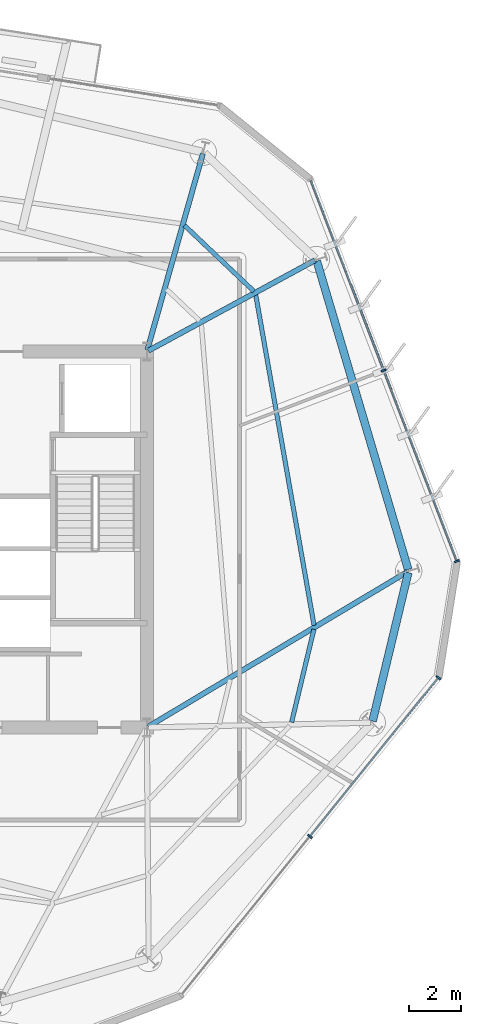
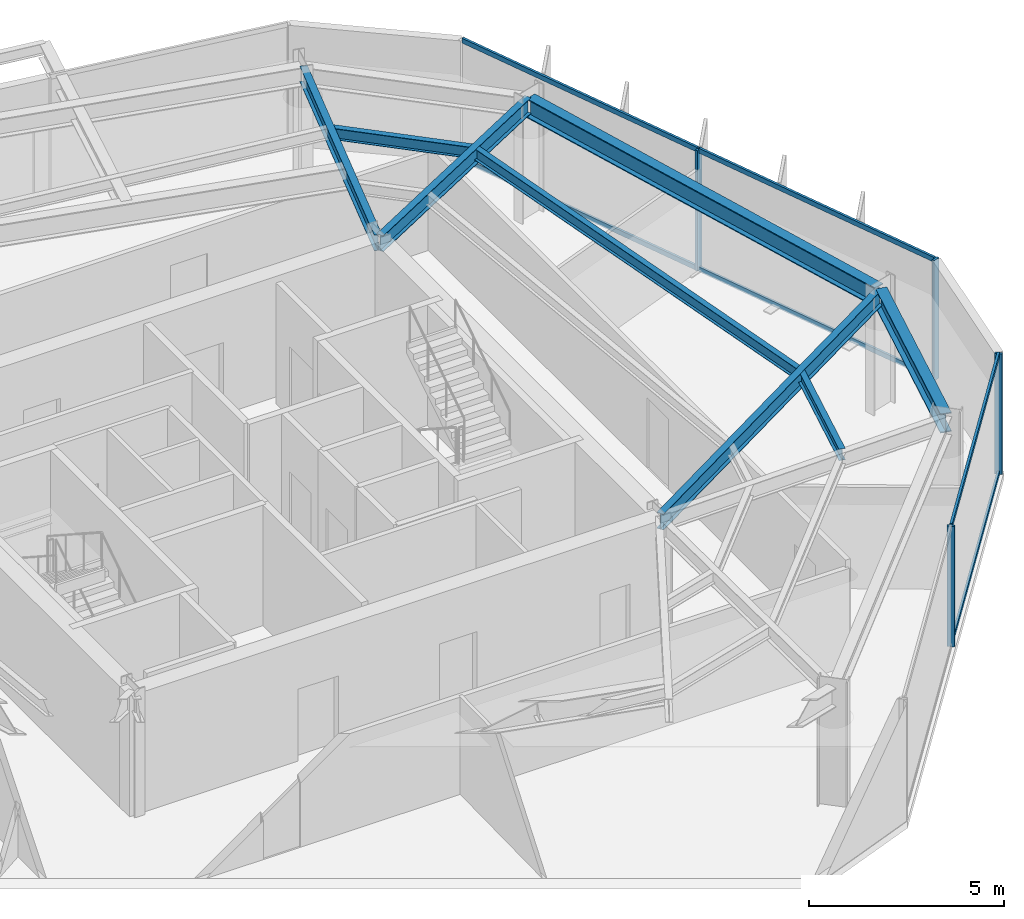
# One storey, part 4 of 11: 10 members, 8 beams, 2 elements without a shape of their own.
"""IFC4 building model written with IfcOpenShell, lengths in metres."""

import ifcopenshell
import ifcopenshell.guid

model = None  # the IFC model being written
_history = None  # IfcOwnerHistory: only IFC2X3 demands one
_inside = {}  # id of a spatial element -> (the spatial element, [elements in it])
_under = {}  # id of a project, library or spatial element -> (it, [spatial elements below it])
_declared = {}  # id of a project -> (the project, [libraries it declares])
_typed = {}  # id of a type object -> (the type object, [elements of that type])
_made_of = {}  # id of a material, layer set ... -> (it, [elements and type objects made of it])


def new_model(schema):
    """Start an empty IFC model of exactly this schema.

    Asked for "IFC4X3", IfcOpenShell would pick the latest addendum, in which some entities
    have other attributes; the version numbers below select the first issue.
    IFC2X3 requires an IfcOwnerHistory on every rooted entity: one is made here for all.
    """
    global model, _history
    if schema == "IFC4X3":
        model = ifcopenshell.file(schema_version=(4, 3, 0, 0))
    else:
        model = ifcopenshell.file(schema=schema)
    _inside.clear()
    _under.clear()
    _declared.clear()
    _typed.clear()
    _made_of.clear()
    _history = None
    if model.schema == "IFC2X3":
        org = make("IfcOrganization", Name="unknown")
        user = make(
            "IfcPersonAndOrganization",
            ThePerson=make("IfcPerson", FamilyName="unknown"),
            TheOrganization=org,
        )
        app = make(
            "IfcApplication",
            ApplicationDeveloper=org,
            Version="unknown",
            ApplicationFullName="unknown",
            ApplicationIdentifier="unknown",
        )
        _history = make(
            "IfcOwnerHistory",
            OwningUser=user,
            OwningApplication=app,
            ChangeAction="ADDED",
            CreationDate=0,
        )
    return model


def make(cls, **values):
    """One entity of the class cls with the attributes given. An attribute that is None is left unset."""
    return model.create_entity(
        cls, **{name: value for name, value in values.items() if value is not None}
    )


def rooted(cls, **values):
    """An entity with a GlobalId (a new one), such as an element, a storey or a relation."""
    return make(cls, GlobalId=ifcopenshell.guid.new(), OwnerHistory=_history, **values)


def si_unit(unit_type, name, prefix=None):
    """IfcSIUnit, for example si_unit("LENGTHUNIT", "METRE", prefix="MILLI")."""
    return make("IfcSIUnit", UnitType=unit_type, Prefix=prefix, Name=name)


def assignment(units):
    """IfcUnitAssignment: the units of a project."""
    return None if units is None else make("IfcUnitAssignment", Units=units)


def point(xyz):
    """IfcCartesianPoint."""
    return None if xyz is None else make("IfcCartesianPoint", Coordinates=xyz)


def direction(xyz):
    """IfcDirection."""
    return None if xyz is None else make("IfcDirection", DirectionRatios=xyz)


def frame(location, z_axis=None, x_axis=None):
    """IfcAxis2Placement3D, a coordinate frame: its origin and axes. An axis left out is left unset."""
    return make(
        "IfcAxis2Placement3D",
        Location=point(location),
        Axis=direction(z_axis),
        RefDirection=direction(x_axis),
    )


def frame_2d(location, x_axis=None):
    """IfcAxis2Placement2D, a coordinate frame in the plane: its origin and x axis."""
    return make(
        "IfcAxis2Placement2D", Location=point(location), RefDirection=direction(x_axis)
    )


def origin():
    """The frame at (0, 0, 0) with its axes left unset."""
    return frame((0.0, 0.0, 0.0))


def origin_2d():
    """The frame at (0, 0) in the plane with its x axis left unset."""
    return frame_2d((0.0, 0.0))


def place(relative_to, where):
    """IfcLocalPlacement: puts the frame where relative to a parent placement (None: the world)."""
    return make(
        "IfcLocalPlacement", PlacementRelTo=relative_to, RelativePlacement=where
    )


def context(
    kind, dimensions, precision=None, world=None, true_north=None, identifier=None
):
    """IfcGeometricRepresentationContext, for example the 3D "Model" context."""
    return make(
        "IfcGeometricRepresentationContext",
        ContextIdentifier=identifier,
        ContextType=kind,
        CoordinateSpaceDimension=dimensions,
        Precision=precision,
        WorldCoordinateSystem=world,
        TrueNorth=true_north,
    )


def subcontext(parent, identifier, kind, view, scale=None):
    """IfcGeometricRepresentationSubContext, for example "Body" below "Model"."""
    return make(
        "IfcGeometricRepresentationSubContext",
        ContextIdentifier=identifier,
        ContextType=kind,
        ParentContext=parent,
        TargetScale=scale,
        TargetView=view,
    )


def project(units=None, contexts=None):
    """IfcProject with its units and contexts."""
    return rooted(
        "IfcProject",
        Name="project",
        RepresentationContexts=contexts,
        UnitsInContext=assignment(units),
    )


def spatial(cls, under=None, at=None, **own):
    """A site, building, storey or space (cls), placed at a placement, below another one or the project."""
    s = rooted(cls, ObjectPlacement=at, **own)
    if under is not None:
        _under.setdefault(under.id(), (under, []))[1].append(s)
    return s


def profile(cls, at=None, kind="AREA", **sizes):
    """A parametric profile (cls). Its sizes go by their IFC names, for example OverallWidth=200.0."""
    return make(cls, ProfileType=kind, Position=at, **sizes)


def rectangle(**sizes):
    """IfcRectangleProfileDef."""
    return profile("IfcRectangleProfileDef", **sizes)


def i_section(**sizes):
    """IfcIShapeProfileDef."""
    return profile("IfcIShapeProfileDef", **sizes)


def extrude(swept, where, along, depth):
    """IfcExtrudedAreaSolid: the profile swept, set in the frame where, extruded along a direction by depth."""
    return make(
        "IfcExtrudedAreaSolid",
        SweptArea=swept,
        Position=where,
        ExtrudedDirection=direction(along),
        Depth=depth,
    )


def shape(context_of_items, identifier, shape_type, items):
    """IfcShapeRepresentation: the items that make up one representation, for example the "Body"."""
    return make(
        "IfcShapeRepresentation",
        ContextOfItems=context_of_items,
        RepresentationIdentifier=identifier,
        RepresentationType=shape_type,
        Items=items,
    )


def material(Name=None, Category=None):
    """IfcMaterial."""
    return make("IfcMaterial", Name=Name, Category=Category)


def layer(
    of_material, thickness, ventilated=None, Name=None, Category=None, Priority=None
):
    """IfcMaterialLayer: one layer of a wall or slab, of a material (None: an air gap)."""
    return make(
        "IfcMaterialLayer",
        Material=of_material,
        LayerThickness=thickness,
        IsVentilated=ventilated,
        Name=Name,
        Category=Category,
        Priority=Priority,
    )


def layer_set(layers, Name=None):
    """IfcMaterialLayerSet."""
    return make("IfcMaterialLayerSet", MaterialLayers=layers, LayerSetName=Name)


def material_profile(
    of_material, cross_section, Name=None, Category=None, Priority=None
):
    """IfcMaterialProfile: a cross section and its material."""
    return make(
        "IfcMaterialProfile",
        Name=Name,
        Material=of_material,
        Profile=cross_section,
        Priority=Priority,
        Category=Category,
    )


def profile_set(profiles, Name=None, composite=None):
    """IfcMaterialProfileSet."""
    return make(
        "IfcMaterialProfileSet",
        Name=Name,
        MaterialProfiles=profiles,
        CompositeProfile=composite,
    )


def made_of(thing, what):
    """Note that an element or type object is made of a material, layer set ...; save() writes the relation."""
    if what is not None:
        _made_of.setdefault(what.id(), (what, []))[1].append(thing)
    return thing


def type_object(cls, material=None, **own):
    """A type object (cls), such as IfcWallType, which elements share."""
    return made_of(rooted(cls, **own), material)


def element(
    cls,
    number,
    at=None,
    inside=None,
    cuts=None,
    type_object=None,
    material=None,
    context=None,
    identifier="Body",
    shape_type=None,
    held_by="IfcProductDefinitionShape",
    body=None,
    shapes=None,
    **own,
):
    """One element of the class cls, such as IfcWall. Its Tag is "e" and its number.

    at: its placement. inside: the storey or other place that contains it. cuts: it is an
    opening in that element (IfcRelVoidsElement). A single representation is given by context,
    identifier, shape_type and body (its items); several are given by shapes. held_by: the class
    of the entity that holds the representations. save() writes the other relations.
    """
    e = rooted(cls, Tag="e%d" % number, ObjectPlacement=at, **own)
    if body is not None:
        shapes = [shape(context, identifier, shape_type, body)]
    if shapes is not None:
        e.Representation = make(held_by, Representations=shapes)
    if inside is not None:
        _inside.setdefault(inside.id(), (inside, []))[1].append(e)
    if cuts is not None:
        rooted(
            "IfcRelVoidsElement", RelatingBuildingElement=cuts, RelatedOpeningElement=e
        )
    if type_object is not None:
        _typed.setdefault(type_object.id(), (type_object, []))[1].append(e)
    return made_of(e, material)


def aggregate(whole, parts):
    """IfcRelAggregates: a whole, such as a stair, and the parts it consists of."""
    return rooted("IfcRelAggregates", RelatingObject=whole, RelatedObjects=parts)


def save(model, path):
    """Write the relations noted so far, then the file.

    IfcRelAggregates (storeys below a building ...), IfcRelContainedInSpatialStructure (elements
    in a storey), IfcRelDefinesByType, IfcRelAssociatesMaterial and IfcRelDeclares: one each for
    every whole, place, type object, material and project.
    """
    for whole, parts in _under.values():
        aggregate(whole, parts)
    for where, things in _inside.values():
        rooted(
            "IfcRelContainedInSpatialStructure",
            RelatedElements=things,
            RelatingStructure=where,
        )
    for kind, things in _typed.values():
        rooted("IfcRelDefinesByType", RelatedObjects=things, RelatingType=kind)
    for what, things in _made_of.values():
        rooted("IfcRelAssociatesMaterial", RelatedObjects=things, RelatingMaterial=what)
    for by, libraries in _declared.values():
        rooted("IfcRelDeclares", RelatingContext=by, RelatedDefinitions=libraries)
    model.write(path)


model = new_model("IFC4")

# Units and contexts
model_context = context("Model", 3, precision=1e-05, world=origin(), true_north=direction((0.0, 1.0)))
body_context = subcontext(model_context, "Body", "Model", "MODEL_VIEW")
ifc_project = project(units=[si_unit("LENGTHUNIT", "METRE"), si_unit("AREAUNIT", "SQUARE_METRE"), si_unit("VOLUMEUNIT", "CUBIC_METRE"), si_unit("PLANEANGLEUNIT", "RADIAN"), si_unit("MASSUNIT", "GRAM", prefix="KILO")], contexts=[model_context])

# Site, building, storey
site_placement = place(None, origin())
site = spatial("IfcSite", under=ifc_project, at=site_placement, CompositionType="ELEMENT")
building_placement = place(site_placement, origin())
building = spatial("IfcBuilding", under=site, at=building_placement, Name="Kranzbogen Civic Tower", CompositionType="ELEMENT")
storey_placement = place(building_placement, frame((0.0, 0.0, 228.800048828125)))
storey = spatial("IfcBuildingStorey", under=building, at=storey_placement, Name="L55", CompositionType="ELEMENT", Elevation=228.800048828125)

# Curtain wall, members
ifc_material_1 = material(Name="Pale Anodised Aluminium", Category="aluminium")
ifc_layer = layer(ifc_material_1, 0.219970703125, Name="Pale Anodised Aluminium")
ifc_layer_set = layer_set([ifc_layer], Name="Pale Anodised Aluminium")
curtain_wall_type = type_object("IfcCurtainWallType", Name="Zone 3 Stick Curtain Wall System CW-04", PredefinedType="USERDEFINED", material=ifc_layer_set)
curtain_wall_1_placement = place(storey_placement, origin())
curtain_wall_1 = element("IfcCurtainWall", 1, at=curtain_wall_1_placement, inside=storey, type_object=curtain_wall_type, Name="L55 curtain wall CW-L55-F5", ObjectType="STICK CURTAIN WALL", PredefinedType="USERDEFINED")
ifc_material_profile_1 = material_profile(ifc_material_1, rectangle(XDim=0.070068359375, YDim=0.199951171875, at=origin_2d()), Name="ALU-M 70x200")
ifc_profile_set_1 = profile_set([ifc_material_profile_1], Name="Pale Anodised Aluminium")
member_type_1 = type_object("IfcMemberType", Name="Curtain Wall Mullion ALU-M 70x200", PredefinedType="MULLION", material=ifc_profile_set_1)
member_1_placement = place(storey_placement, frame((39.0439453125, 13.62646484375, 0.0), z_axis=(0.0, 0.0, 1.0), x_axis=(0.629357543601, 0.777115874444, 0.0)))
member_1 = element("IfcMember", 2, at=member_1_placement, type_object=member_type_1, Name="CW-04 mullion 2", PredefinedType="MULLION", context=body_context, shape_type="SweptSolid", body=[
    extrude(rectangle(XDim=0.070068359375, YDim=0.199951171875, at=origin_2d()), origin(), (0.0, 0.0, 1.0), 3.780029296875),
])
member_2_placement = place(storey_placement, frame((43.968017578125, 19.706787109375, 0.0), z_axis=(0.0, 0.0, 1.0), x_axis=(0.629357543601, 0.777115874444, 0.0)))
member_2 = element("IfcMember", 3, at=member_2_placement, type_object=member_type_1, Name="CW-04 mullion 3", PredefinedType="MULLION", context=body_context, shape_type="SweptSolid", body=[
    extrude(rectangle(XDim=0.070068359375, YDim=0.199951171875, at=origin_2d()), origin(), (0.0, 0.0, 1.0), 3.780029296875),
])

curtain_wall_2_placement = place(storey_placement, origin())
curtain_wall_2 = element("IfcCurtainWall", 4, at=curtain_wall_2_placement, inside=storey, type_object=curtain_wall_type, Name="L55 curtain wall CW-L55-F6", ObjectType="STICK CURTAIN WALL", PredefinedType="USERDEFINED")
member_3_placement = place(storey_placement, frame((44.67529296875, 24.172119140625, 0.0), z_axis=(0.0, 0.0, 1.0), x_axis=(-0.3583476378, 0.933588223192, 0.0)))
member_3 = element("IfcMember", 5, at=member_3_placement, type_object=member_type_1, Name="CW-04 mullion 1", PredefinedType="MULLION", context=body_context, shape_type="SweptSolid", body=[
    extrude(rectangle(XDim=0.070068359375, YDim=0.199951171875, at=origin_2d()), origin(), (0.0, 0.0, 1.0), 3.780029296875),
])
member_4_placement = place(storey_placement, frame((41.87158203125, 31.4765625, 0.0), z_axis=(0.0, 0.0, 1.0), x_axis=(-0.3583476378, 0.933588223192, 0.0)))
member_4 = element("IfcMember", 6, at=member_4_placement, type_object=member_type_1, Name="CW-04 mullion 2", PredefinedType="MULLION", context=body_context, shape_type="SweptSolid", body=[
    extrude(rectangle(XDim=0.070068359375, YDim=0.199951171875, at=origin_2d()), origin(), (0.0, 0.0, 1.0), 3.780029296875),
])

# Member
ifc_material_profile_2 = material_profile(ifc_material_1, rectangle(XDim=0.070068359375, YDim=0.14990234375, at=origin_2d()), Name="ALU-T 70x150")
ifc_profile_set_2 = profile_set([ifc_material_profile_2], Name="Pale Anodised Aluminium")
member_type_2 = type_object("IfcMemberType", Name="Curtain Wall Transom ALU-T 70x150", PredefinedType="USERDEFINED", material=ifc_profile_set_2)
member_5_placement = place(storey_placement, frame((39.06298828125, 13.64990234375, 0.030029296875), z_axis=(0.629354712234, 0.777118167455, 0.0), x_axis=(-0.777118167455, 0.629354712234, 0.0)))
member_5 = element("IfcMember", 7, at=member_5_placement, type_object=member_type_2, Name="CW-04 transom 2.1", ObjectType="TRANSOM", PredefinedType="USERDEFINED", context=body_context, shape_type="SweptSolid", body=[
    extrude(rectangle(XDim=0.070068359375, YDim=0.14990234375, at=origin_2d()), origin(), (0.0, 0.0, 1.0), 7.763916015625),
])

member_6_placement = place(storey_placement, frame((39.06298828125, 13.64990234375, 3.75), z_axis=(0.629354712234, 0.777118167455, 0.0), x_axis=(-0.777118167455, 0.629354712234, 0.0)))
member_6 = element("IfcMember", 8, at=member_6_placement, type_object=member_type_2, Name="CW-04 transom 2.2", ObjectType="TRANSOM", PredefinedType="USERDEFINED", context=body_context, shape_type="SweptSolid", body=[
    extrude(rectangle(XDim=0.070068359375, YDim=0.14990234375, at=origin_2d()), origin(), (0.0, 0.0, 1.0), 7.763916015625),
])

aggregate(curtain_wall_1, [member_1, member_2, member_5, member_6])

member_7_placement = place(storey_placement, frame((44.66455078125, 24.199951171875, 0.030029296875), z_axis=(-0.358342647963, 0.933590138471, 0.0), x_axis=(-0.933590138471, -0.358342647963, 0.0)))
member_7 = element("IfcMember", 9, at=member_7_placement, type_object=member_type_2, Name="CW-04 transom 1.1", ObjectType="TRANSOM", PredefinedType="USERDEFINED", context=body_context, shape_type="SweptSolid", body=[
    extrude(rectangle(XDim=0.070068359375, YDim=0.14990234375, at=origin_2d()), origin(), (0.0, 0.0, 1.0), 7.76416015625),
])

member_8_placement = place(storey_placement, frame((44.66455078125, 24.199951171875, 3.75), z_axis=(-0.358342647963, 0.933590138471, 0.0), x_axis=(-0.933590138471, -0.358342647963, 0.0)))
member_8 = element("IfcMember", 10, at=member_8_placement, type_object=member_type_2, Name="CW-04 transom 1.2", ObjectType="TRANSOM", PredefinedType="USERDEFINED", context=body_context, shape_type="SweptSolid", body=[
    extrude(rectangle(XDim=0.070068359375, YDim=0.14990234375, at=origin_2d()), origin(), (0.0, 0.0, 1.0), 7.76416015625),
])

member_9_placement = place(storey_placement, frame((41.86083984375, 31.50439453125, 0.030029296875), z_axis=(-0.358342647963, 0.933590138471, 0.0), x_axis=(-0.933590138471, -0.358342647963, 0.0)))
member_9 = element("IfcMember", 11, at=member_9_placement, type_object=member_type_2, Name="CW-04 transom 2.1", ObjectType="TRANSOM", PredefinedType="USERDEFINED", context=body_context, shape_type="SweptSolid", body=[
    extrude(rectangle(XDim=0.070068359375, YDim=0.14990234375, at=origin_2d()), origin(), (0.0, 0.0, 1.0), 7.76416015625),
])

member_10_placement = place(storey_placement, frame((41.86083984375, 31.50439453125, 3.75), z_axis=(-0.358342647963, 0.933590138471, 0.0), x_axis=(-0.933590138471, -0.358342647963, 0.0)))
member_10 = element("IfcMember", 12, at=member_10_placement, type_object=member_type_2, Name="CW-04 transom 2.2", ObjectType="TRANSOM", PredefinedType="USERDEFINED", context=body_context, shape_type="SweptSolid", body=[
    extrude(rectangle(XDim=0.070068359375, YDim=0.14990234375, at=origin_2d()), origin(), (0.0, 0.0, 1.0), 7.76416015625),
])

aggregate(curtain_wall_2, [member_3, member_4, member_7, member_8, member_9, member_10])

# Beams
ifc_material_2 = material(Name="Steel S355", Category="steel")
ifc_material_profile_3 = material_profile(ifc_material_2, i_section(OverallWidth=0.300048828125, OverallDepth=0.60009765625, WebThickness=0.015380859375, FlangeThickness=0.030029296875, at=origin_2d()), Name="HEB 600")
ifc_profile_set_3 = profile_set([ifc_material_profile_3], Name="Steel S355")
beam_type_1 = type_object("IfcBeamType", Name="Perimeter Tube Spandrel Beam HEB 600", PredefinedType="SPANDREL", material=ifc_profile_set_3)
beam_1_placement = place(storey_placement, frame((41.447021484375, 18.0419921875, 3.47998046875), z_axis=(0.233554380434, 0.972343741369, 0.0), x_axis=(-0.972343741369, 0.233554380434, 0.0)))
element("IfcBeam", 13, at=beam_1_placement, inside=storey, type_object=beam_type_1, Name="L55 perimeter spandrel beam 05", PredefinedType="SPANDREL", context=body_context, shape_type="SweptSolid", body=[
    extrude(i_section(OverallWidth=0.300048828125, OverallDepth=0.60009765625, WebThickness=0.015380859375, FlangeThickness=0.030029296875, at=origin_2d()), origin(), (0.0, 0.0, 1.0), 5.852783203125),
])
beam_2_placement = place(storey_placement, frame((42.81103515625, 23.84912109375, 3.47998046875), z_axis=(-0.284064048956, 0.958805306666, 0.0), x_axis=(-0.958805306666, -0.284064048956, 0.0)))
element("IfcBeam", 14, at=beam_2_placement, inside=storey, type_object=beam_type_1, Name="L55 perimeter spandrel beam 06", PredefinedType="SPANDREL", context=body_context, shape_type="SweptSolid", body=[
    extrude(i_section(OverallWidth=0.300048828125, OverallDepth=0.60009765625, WebThickness=0.015380859375, FlangeThickness=0.030029296875, at=origin_2d()), origin(), (0.0, 0.0, 1.0), 12.32470703125),
])
ifc_material_profile_4 = material_profile(ifc_material_2, i_section(OverallWidth=0.199951171875, OverallDepth=0.5, WebThickness=0.01025390625, FlangeThickness=0.01611328125, at=origin_2d()), Name="IPE 500")
ifc_profile_set_4 = profile_set([ifc_material_profile_4], Name="Steel S355")
beam_type_2 = type_object("IfcBeamType", Name="Radial Tower Floor Girder IPE 500", PredefinedType="BEAM", material=ifc_profile_set_4)
beam_3_placement = place(storey_placement, frame((42.77587890625, 23.760009765625, 3.530029296875), z_axis=(-0.858458551809, -0.512882944565, 0.0), x_axis=(0.512882944565, -0.858458551809, 0.0)))
element("IfcBeam", 15, at=beam_3_placement, inside=storey, type_object=beam_type_2, Name="L55 radial floor girder 06", PredefinedType="BEAM", context=body_context, shape_type="SweptSolid", body=[
    extrude(i_section(OverallWidth=0.199951171875, OverallDepth=0.5, WebThickness=0.01025390625, FlangeThickness=0.01611328125, at=origin_2d()), origin(), (0.0, 0.0, 1.0), 11.56005859375),
])
beam_4_placement = place(storey_placement, frame((39.239990234375, 35.695068359375, 3.530029296875), z_axis=(-0.878919430102, -0.476970266777, 0.0), x_axis=(0.476970266777, -0.878919430102, 0.0)))
element("IfcBeam", 16, at=beam_4_placement, inside=storey, type_object=beam_type_2, Name="L55 radial floor girder 07", PredefinedType="BEAM", context=body_context, shape_type="SweptSolid", body=[
    extrude(i_section(OverallWidth=0.199951171875, OverallDepth=0.5, WebThickness=0.01025390625, FlangeThickness=0.01611328125, at=origin_2d()), origin(), (0.0, 0.0, 1.0), 7.266845703125),
])
beam_5_placement = place(storey_placement, frame((34.945068359375, 39.777099609375, 3.530029296875), z_axis=(-0.272455078988, -0.962168503919, 0.0), x_axis=(0.962168503919, -0.272455078988, 0.0)))
element("IfcBeam", 17, at=beam_5_placement, inside=storey, type_object=beam_type_2, Name="L55 radial floor girder 08", PredefinedType="BEAM", context=body_context, shape_type="SweptSolid", body=[
    extrude(i_section(OverallWidth=0.199951171875, OverallDepth=0.5, WebThickness=0.01025390625, FlangeThickness=0.01611328125, at=origin_2d()), origin(), (0.0, 0.0, 1.0), 7.814697265625),
])
ifc_material_profile_5 = material_profile(ifc_material_2, i_section(OverallWidth=0.169921875, OverallDepth=0.360107421875, WebThickness=0.008056640625, FlangeThickness=0.0126953125, at=origin_2d()), Name="IPE 360")
ifc_profile_set_5 = profile_set([ifc_material_profile_5], Name="Steel S355")
beam_type_3 = type_object("IfcBeamType", Name="Secondary Composite Floor Joist IPE 360", PredefinedType="JOIST", material=ifc_profile_set_5)
beam_6_placement = place(storey_placement, frame((38.343994140625, 17.99609375, 3.599853515625), z_axis=(0.233534367714, 0.972348548154, 0.0), x_axis=(-0.972348548154, 0.233534367714, 0.0)))
element("IfcBeam", 18, at=beam_6_placement, inside=storey, type_object=beam_type_3, Name="L55 secondary floor joist 1.05", PredefinedType="JOIST", context=body_context, shape_type="SweptSolid", body=[
    extrude(i_section(OverallWidth=0.169921875, OverallDepth=0.360107421875, WebThickness=0.008056640625, FlangeThickness=0.0126953125, at=origin_2d()), origin(), (0.0, 0.0, 1.0), 3.6611328125),
])
beam_7_placement = place(storey_placement, frame((39.2041015625, 21.712890625, 3.599853515625), z_axis=(-0.173805911364, 0.984779927281, 0.0), x_axis=(-0.984779927281, -0.173805911364, 0.0)))
element("IfcBeam", 19, at=beam_7_placement, inside=storey, type_object=beam_type_3, Name="L55 secondary floor joist 1.06", PredefinedType="JOIST", context=body_context, shape_type="SweptSolid", body=[
    extrude(i_section(OverallWidth=0.169921875, OverallDepth=0.360107421875, WebThickness=0.008056640625, FlangeThickness=0.0126953125, at=origin_2d()), origin(), (0.0, 0.0, 1.0), 12.85986328125),
])
beam_8_placement = place(storey_placement, frame((36.89697265625, 34.510009765625, 3.599853515625), z_axis=(-0.725300648604, 0.688432254572, 0.0), x_axis=(-0.688432254572, -0.725300648604, 0.0)))
element("IfcBeam", 20, at=beam_8_placement, inside=storey, type_object=beam_type_3, Name="L55 secondary floor joist 1.07", PredefinedType="JOIST", context=body_context, shape_type="SweptSolid", body=[
    extrude(i_section(OverallWidth=0.169921875, OverallDepth=0.360107421875, WebThickness=0.008056640625, FlangeThickness=0.0126953125, at=origin_2d()), origin(), (0.0, 0.0, 1.0), 3.661865234375),
])

save(model, "model.ifc")
